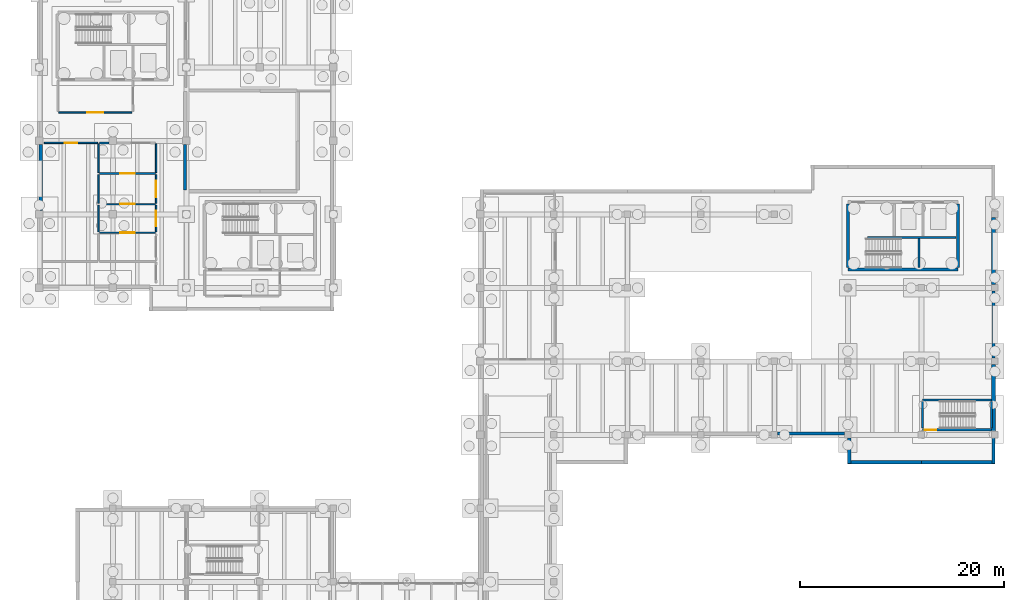
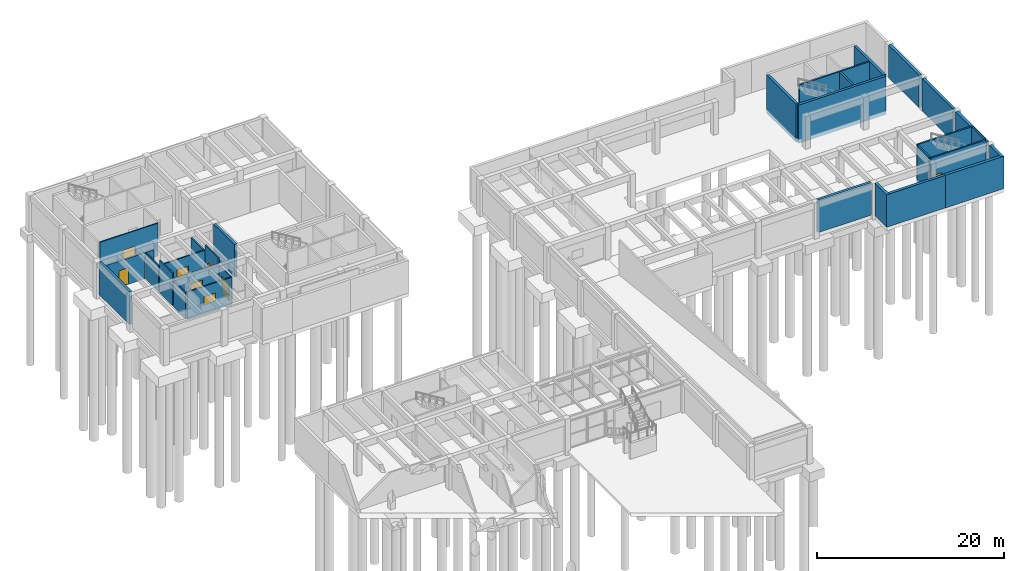
# One storey, part 19 of 28: 31 walls, 5 doors, 3 windows, 8 openings.
"""IFC4 building model written with IfcOpenShell, lengths in metres."""

from ifc_helpers import new_model, si_unit, direction, frame, frame_2d, origin, place, context, subcontext, project, spatial, rectangle, extrude, material, layer, layer_set, type_object, element, fill, save


model = new_model("IFC4")

# Units and contexts
model_context = context("Model", 3, precision=1e-05, world=origin(), true_north=direction((0.0, 1.0)))
body_context = subcontext(model_context, "Body", "Model", "MODEL_VIEW")
ifc_project = project(units=[si_unit("LENGTHUNIT", "METRE"), si_unit("AREAUNIT", "SQUARE_METRE"), si_unit("VOLUMEUNIT", "CUBIC_METRE"), si_unit("PLANEANGLEUNIT", "RADIAN"), si_unit("MASSUNIT", "GRAM", prefix="KILO")], contexts=[model_context])

# Site, building, storey
site_placement = place(None, origin())
site = spatial("IfcSite", under=ifc_project, at=site_placement, CompositionType="ELEMENT")
building_placement = place(site_placement, origin())
building = spatial("IfcBuilding", under=site, at=building_placement, Name="Bramvelor Terrace Health Centre", CompositionType="ELEMENT")
storey_placement = place(building_placement, frame((0.0, 0.0, -4.5)))
storey = spatial("IfcBuildingStorey", under=building, at=storey_placement, Name="B1", CompositionType="ELEMENT", Elevation=-4.5)

# Walls
ifc_material_1 = material(Name="Concrete C40/50", Category="concrete")
ifc_layer_1 = layer(ifc_material_1, 0.199951171875)
ifc_layer_set_1 = layer_set([ifc_layer_1], Name="Concrete C40/50")
wall_type_1 = type_object("IfcWallType", Name="WL-CORE-200", PredefinedType="SHEAR", material=ifc_layer_set_1)
wall_1_placement = place(storey_placement, frame((81.14990234375, 91.35009765625, -0.5), z_axis=(0.0, 0.0, 1.0), x_axis=(1.0, 0.0, 0.0)))
element("IfcWall", 1, at=wall_1_placement, inside=storey, type_object=wall_type_1, Name="C4 B1 Core Shear Wall", PredefinedType="SHEAR", context=body_context, shape_type="SweptSolid", body=[
    extrude(rectangle(XDim=8.670166015625, YDim=0.199951171875, at=frame_2d((4.3349609375, 0.0))), origin(), (0.0, 0.0, 1.0), 5.0),
])
wall_2_placement = place(storey_placement, frame((86.155029296875, 88.3798828125, -0.5), z_axis=(0.0, 0.0, 1.0), x_axis=(0.0, 1.0, 0.0)))
element("IfcWall", 2, at=wall_2_placement, inside=storey, type_object=wall_type_1, Name="C4 B1 Core Shear Wall", PredefinedType="SHEAR", context=body_context, shape_type="SweptSolid", body=[
    extrude(rectangle(XDim=2.85009765625, YDim=0.199951171875, at=frame_2d((1.425048828125, 0.0))), origin(), (0.0, 0.0, 1.0), 5.0),
])

# Wall, opening, door
wall_3_placement = place(storey_placement, frame((86.5, 72.5, -0.5), z_axis=(0.0, 0.0, 1.0), x_axis=(1.0, 0.0, 0.0)))
wall_3 = element("IfcWall", 3, at=wall_3_placement, inside=storey, type_object=wall_type_1, Name="ST-8 B1 Stair Shaft Wall", PredefinedType="SHEAR", context=body_context, shape_type="SweptSolid", body=[
    extrude(rectangle(XDim=6.77490234375, YDim=0.199951171875, at=frame_2d((3.387451171875, 0.0))), origin(), (0.0, 0.0, 1.0), 5.0),
])
opening_1_placement = place(wall_3_placement, frame((0.219970703125, 0.0, 0.5)))
opening_1 = element("IfcOpeningElement", 4, at=opening_1_placement, cuts=wall_3, Name="Opening FD-06", PredefinedType="OPENING", context=body_context, shape_type="SweptSolid", body=[
    extrude(rectangle(XDim=1.1201171875, YDim=2.139892578125, at=frame_2d((0.56005859375, 1.06982421875))), frame((0.0, 0.10986328125, 0.0), z_axis=(0.0, -1.0, 0.0), x_axis=(1.0, 0.0, 0.0)), (0.0, 0.0, 1.0), 0.219970703125),
])
ifc_material_2 = material(Name="Fire-rated steel and vision panel", Category="steel")
door_type_1 = type_object("IfcDoorType", Name="DR-FD60-112", OperationType="NOTDEFINED", PredefinedType="DOOR", material=ifc_material_2)
door_1_placement = place(opening_1_placement, origin())
door_1 = element("IfcDoor", 5, at=door_1_placement, inside=storey, type_object=door_type_1, Name="ST-8 B1 Exit Stair Fire Door", OperationType="SINGLE_SWING_LEFT", OverallHeight=2.139892578125, OverallWidth=1.1201171875, PredefinedType="DOOR", context=body_context, shape_type="SweptSolid", body=[
    extrude(rectangle(XDim=1.1201171875, YDim=2.139892578125, at=frame_2d((0.56005859375, 1.06982421875))), frame((0.0, 0.02490234375, 0.0), z_axis=(0.0, -1.0, 0.0), x_axis=(1.0, 0.0, 0.0)), (0.0, 0.0, 1.0), 0.050048828125),
])
fill(opening_1, door_1)

# Walls
wall_4_placement = place(storey_placement, frame((86.5, 75.39990234375, -0.5), z_axis=(0.0, 0.0, 1.0), x_axis=(1.0, 0.0, 0.0)))
element("IfcWall", 6, at=wall_4_placement, inside=storey, type_object=wall_type_1, Name="ST-8 B1 Stair Shaft Wall", PredefinedType="SHEAR", context=body_context, shape_type="SweptSolid", body=[
    extrude(rectangle(XDim=6.77490234375, YDim=0.199951171875, at=frame_2d((3.387451171875, 0.0))), origin(), (0.0, 0.0, 1.0), 5.0),
])
for number, where, z_axis, x_axis, name in (
    (7, (86.5, 72.64990234375, -0.5), (0.0, 0.0, 1.0), (0.0, 1.0, 0.0), "ST-8 B1 Stair Shaft Wall"),
    (8, (93.27490234375, 72.64990234375, -0.5), (0.0, 0.0, 1.0), (0.0, 1.0, 0.0), "ST-8 B1 Stair Shaft Wall"),
):
    element("IfcWall", number, at=place(storey_placement, frame(where, z_axis=z_axis, x_axis=x_axis)), inside=storey, type_object=wall_type_1, Name=name, PredefinedType="SHEAR", context=body_context, shape_type="SweptSolid", body=[
        extrude(rectangle(XDim=2.60009765625, YDim=0.199951171875, at=frame_2d((1.300048828125, 0.0))), origin(), (0.0, 0.0, 1.0), 5.0),
    ])
ifc_material_3 = material(Name="Concrete C40/50", Category="concrete")
ifc_layer_2 = layer(ifc_material_3, 0.300048828125)
ifc_layer_set_2 = layer_set([ifc_layer_2], Name="Concrete C40/50")
wall_type_2 = type_object("IfcWallType", Name="WL-CORE-300", PredefinedType="SHEAR", material=ifc_layer_set_2)
wall_5_placement = place(storey_placement, frame((79.199951171875, 88.199951171875, -0.5), z_axis=(0.0, 0.0, 1.0), x_axis=(1.0, 0.0, 0.0)))
element("IfcWall", 9, at=wall_5_placement, inside=storey, type_object=wall_type_2, Name="C4 B1 Core Shear Wall", PredefinedType="SHEAR", context=body_context, shape_type="SweptSolid", body=[
    extrude(rectangle(XDim=10.800048828125, YDim=0.300048828125, at=frame_2d((5.39990234375, 0.0))), origin(), (0.0, 0.0, 1.0), 5.0),
])
for number, where, z_axis, x_axis, name in (
    (10, (79.199951171875, 88.3798828125, -0.5), (0.0, 0.0, 1.0), (0.0, 1.0, 0.0), "C4 B1 Core Shear Wall"),
    (11, (90.0, 88.3798828125, -0.5), (0.0, 0.0, 1.0), (0.0, 1.0, 0.0), "C4 B1 Core Shear Wall"),
):
    element("IfcWall", number, at=place(storey_placement, frame(where, z_axis=z_axis, x_axis=x_axis)), inside=storey, type_object=wall_type_2, Name=name, PredefinedType="SHEAR", context=body_context, shape_type="SweptSolid", body=[
        extrude(rectangle(XDim=6.240234375, YDim=0.300048828125, at=frame_2d((3.1201171875, 0.0))), origin(), (0.0, 0.0, 1.0), 5.0),
    ])

# Wall, opening, door
ifc_material_4 = material(Name="Fire-rated gypsum and mineral wool", Category="gypsum")
ifc_layer_3 = layer(ifc_material_4, 0.14990234375)
ifc_layer_set_3 = layer_set([ifc_layer_3], Name="Fire-rated gypsum and mineral wool")
wall_type_3 = type_object("IfcWallType", Name="WL-FIR-150", PredefinedType="PARTITIONING", material=ifc_layer_set_3)
wall_6_placement = place(storey_placement, frame((9.06005859375, 103.60009765625, 0.0), z_axis=(0.0, 0.0, 1.0), x_axis=(-1.0, 0.0, 0.0)))
wall_6 = element("IfcWall", 12, at=wall_6_placement, inside=storey, type_object=wall_type_3, Name="B1 Interior Partition 3", PredefinedType="PARTITIONING", context=body_context, shape_type="SweptSolid", body=[
    extrude(rectangle(XDim=7.170166015625, YDim=0.14990234375, at=frame_2d((3.5849609375, 0.0))), origin(), (0.0, 0.0, 1.0), 4.27001953125),
])
opening_2_placement = place(wall_6_placement, frame((2.804931640625, 0.0, 0.0)))
opening_2 = element("IfcOpeningElement", 13, at=opening_2_placement, cuts=wall_6, Name="Opening FD-03", PredefinedType="OPENING", context=body_context, shape_type="SweptSolid", body=[
    extrude(rectangle(XDim=1.56005859375, YDim=2.219970703125, at=frame_2d((0.780029296875, 1.10986328125))), frame((0.0, 0.0849609375, 0.0), z_axis=(0.0, -1.0, 0.0), x_axis=(1.0, 0.0, 0.0)), (0.0, 0.0, 1.0), 0.169921875),
])
ifc_material_5 = material(Name="Fire-rated steel and vision panel", Category="steel")
door_type_2 = type_object("IfcDoorType", Name="DR-FD90-156", OperationType="DOUBLE_DOOR_SINGLE_SWING", PredefinedType="DOOR", material=ifc_material_5)
door_2_placement = place(opening_2_placement, origin())
door_2 = element("IfcDoor", 14, at=door_2_placement, inside=storey, type_object=door_type_2, Name="B1 Fire Compartment Lobby Door 2", OperationType="DOUBLE_DOOR_SINGLE_SWING", OverallHeight=2.219970703125, OverallWidth=1.56005859375, PredefinedType="DOOR", context=body_context, shape_type="SweptSolid", body=[
    extrude(rectangle(XDim=1.56005859375, YDim=2.219970703125, at=frame_2d((0.780029296875, 1.10986328125))), frame((0.0, 0.02490234375, 0.0), z_axis=(0.0, -1.0, 0.0), x_axis=(1.0, 0.0, 0.0)), (0.0, 0.0, 1.0), 0.050048828125),
])
fill(opening_2, door_2)

# Walls
wall_7_placement = place(storey_placement, frame((5.800048828125, 97.68994140625, 0.0), z_axis=(0.0, 0.0, 1.0), x_axis=(0.0, 1.0, 0.0)))
element("IfcWall", 15, at=wall_7_placement, inside=storey, type_object=wall_type_3, Name="B1 Interior Partition 11", PredefinedType="PARTITIONING", context=body_context, shape_type="SweptSolid", body=[
    extrude(rectangle(XDim=2.818115234375, YDim=0.14990234375, at=frame_2d((1.4091796875, 0.0))), origin(), (0.0, 0.0, 1.0), 3.39990234375),
])
wall_8_placement = place(storey_placement, frame((5.800048828125, 94.68994140625, 0.0), z_axis=(0.0, 0.0, 1.0), x_axis=(0.0, 1.0, 0.0)))
element("IfcWall", 16, at=wall_8_placement, inside=storey, type_object=wall_type_3, Name="B1 Interior Partition 14", PredefinedType="PARTITIONING", context=body_context, shape_type="SweptSolid", body=[
    extrude(rectangle(XDim=2.81005859375, YDim=0.14990234375, at=frame_2d((1.405029296875, 0.0))), origin(), (0.0, 0.0, 1.0), 4.27001953125),
])
wall_9_placement = place(storey_placement, frame((5.800048828125, 91.889892578125, 0.0), z_axis=(0.0, 0.0, 1.0), x_axis=(0.0, 1.0, 0.0)))
element("IfcWall", 17, at=wall_9_placement, inside=storey, type_object=wall_type_3, Name="B1 Interior Partition 17", PredefinedType="PARTITIONING", context=body_context, shape_type="SweptSolid", body=[
    extrude(rectangle(XDim=2.610107421875, YDim=0.14990234375, at=frame_2d((1.30517578125, 0.0))), origin(), (0.0, 0.0, 1.0), 3.39990234375),
])

# Wall, opening, door
wall_10_placement = place(storey_placement, frame((0.489990234375, 100.60009765625, 0.0), z_axis=(0.0, 0.0, 1.0), x_axis=(0.999999911066, -0.000421743168, 0.0)))
wall_10 = element("IfcWall", 18, at=wall_10_placement, inside=storey, type_object=wall_type_3, Name="B1 Interior Partition 22", PredefinedType="PARTITIONING", context=body_context, shape_type="SweptSolid", body=[
    extrude(rectangle(XDim=5.2099609375, YDim=0.14990234375, at=frame_2d((2.60498046875, 0.0))), origin(), (0.0, 0.0, 1.0), 3.39990234375),
])
opening_3_placement = place(wall_10_placement, frame((2.014892578125, 0.0, 0.0)))
opening_3 = element("IfcOpeningElement", 19, at=opening_3_placement, cuts=wall_10, Name="Opening FD-02", PredefinedType="OPENING", context=body_context, shape_type="SweptSolid", body=[
    extrude(rectangle(XDim=1.179931640625, YDim=2.159912109375, at=frame_2d((0.58984375, 1.080078125))), frame((0.0, 0.0849609375, 0.0), z_axis=(0.0, -1.0, 0.0), x_axis=(1.0, 0.0, 0.0)), (0.0, 0.0, 1.0), 0.169921875),
])
ifc_material_6 = material(Name="Fire-rated steel and vision panel", Category="steel")
door_type_3 = type_object("IfcDoorType", Name="DR-FD90-118", OperationType="NOTDEFINED", PredefinedType="DOOR", material=ifc_material_6)
door_3_placement = place(opening_3_placement, origin())
door_3 = element("IfcDoor", 20, at=door_3_placement, inside=storey, type_object=door_type_3, Name="B1 Emergency Standby Generator Plant Room Fire Door", OperationType="SINGLE_SWING_LEFT", OverallHeight=2.159912109375, OverallWidth=1.179931640625, PredefinedType="DOOR", context=body_context, shape_type="SweptSolid", body=[
    extrude(rectangle(XDim=1.179931640625, YDim=2.159912109375, at=frame_2d((0.58984375, 1.080078125))), frame((0.0, 0.02490234375, 0.0), z_axis=(0.0, -1.0, 0.0), x_axis=(1.0, 0.0, 0.0)), (0.0, 0.0, 1.0), 0.050048828125),
])
fill(opening_3, door_3)

# Walls
ifc_material_7 = material(Name="Moisture-resistant service chase board", Category="gypsum")
ifc_layer_4 = layer(ifc_material_7, 0.159912109375)
ifc_layer_set_4 = layer_set([ifc_layer_4], Name="Moisture-resistant service chase board")
wall_type_4 = type_object("IfcWallType", Name="WL-PLM-160", PredefinedType="PLUMBINGWALL", material=ifc_layer_set_4)
wall_11_placement = place(storey_placement, frame((5.889892578125, 100.597900390625, 0.0), z_axis=(0.0, 0.0, 1.0), x_axis=(1.0, 0.0, 0.0)))
element("IfcWall", 21, at=wall_11_placement, inside=storey, type_object=wall_type_4, Name="B1 Interior Partition 7", PredefinedType="PLUMBINGWALL", context=body_context, shape_type="SweptSolid", body=[
    extrude(rectangle(XDim=0.920166015625, YDim=0.159912109375, at=frame_2d((0.4599609375, 0.0))), origin(), (0.0, 0.0, 1.0), 3.39990234375),
])
wall_12_placement = place(storey_placement, frame((11.43994140625, 100.508056640625, 0.0), z_axis=(0.0, 0.0, 1.0), x_axis=(0.0, -1.0, 0.0)))
element("IfcWall", 22, at=wall_12_placement, inside=storey, type_object=wall_type_4, Name="B1 Interior Partition 9", PredefinedType="PLUMBINGWALL", context=body_context, shape_type="SweptSolid", body=[
    extrude(rectangle(XDim=2.818115234375, YDim=0.159912109375, at=frame_2d((1.4091796875, 0.0))), origin(), (0.0, 0.0, 1.0), 3.39990234375),
])

# Wall, opening, window
wall_13_placement = place(storey_placement, frame((11.35009765625, 97.60009765625, 0.0), z_axis=(0.0, 0.0, 1.0), x_axis=(-1.0, 0.0, 0.0)))
wall_13 = element("IfcWall", 23, at=wall_13_placement, inside=storey, type_object=wall_type_4, Name="B1 Interior Partition 10", PredefinedType="PLUMBINGWALL", context=body_context, shape_type="SweptSolid", body=[
    extrude(rectangle(XDim=5.460205078125, YDim=0.159912109375, at=frame_2d((2.72998046875, 0.0))), origin(), (0.0, 0.0, 1.0), 3.550048828125),
])
opening_4_placement = place(wall_13_placement, frame((2.030029296875, 0.0, 1.14990234375)))
opening_4 = element("IfcOpeningElement", 24, at=opening_4_placement, cuts=wall_13, Name="Opening IWN-1", PredefinedType="OPENING", context=body_context, shape_type="SweptSolid", body=[
    extrude(rectangle(XDim=1.39990234375, YDim=1.050048828125, at=frame_2d((0.699951171875, 0.52490234375))), frame((0.0, 0.08984375, 0.0), z_axis=(0.0, -1.0, 0.0), x_axis=(1.0, 0.0, 0.0)), (0.0, 0.0, 1.0), 0.179931640625),
])
ifc_material_8 = material(Name="Acoustic laminated observation glass", Category="glass")
window_type = type_object("IfcWindowType", Name="WIN-INT-OBS140", PartitioningType="SINGLE_PANEL", PredefinedType="WINDOW", material=ifc_material_8)
window_1_placement = place(opening_4_placement, origin())
window_1 = element("IfcWindow", 25, at=window_1_placement, inside=storey, type_object=window_type, Name="B1 Clinical Observation Window 1", OverallHeight=1.050048828125, OverallWidth=1.39990234375, PartitioningType="SINGLE_PANEL", PredefinedType="WINDOW", context=body_context, shape_type="SweptSolid", body=[
    extrude(rectangle(XDim=1.39990234375, YDim=1.050048828125, at=frame_2d((0.699951171875, 0.52490234375))), frame((0.0, 0.030029296875, 0.0), z_axis=(0.0, -1.0, 0.0), x_axis=(1.0, 0.0, 0.0)), (0.0, 0.0, 1.0), 0.06005859375),
])
fill(opening_4, window_1)

# Wall, opening, door
wall_14_placement = place(storey_placement, frame((11.43994140625, 97.5, 0.0), z_axis=(0.0, 0.0, 1.0), x_axis=(0.0, -1.0, 0.0)))
wall_14 = element("IfcWall", 26, at=wall_14_placement, inside=storey, type_object=wall_type_4, Name="B1 Interior Partition 12", PredefinedType="PLUMBINGWALL", context=body_context, shape_type="SweptSolid", body=[
    extrude(rectangle(XDim=2.81005859375, YDim=0.159912109375, at=frame_2d((1.405029296875, 0.0))), origin(), (0.0, 0.0, 1.0), 4.27001953125),
])
opening_5_placement = place(wall_14_placement, frame((0.594970703125, 0.0, 0.0)))
opening_5 = element("IfcOpeningElement", 27, at=opening_5_placement, cuts=wall_14, Name="Opening ID-OR2", PredefinedType="OPENING", context=body_context, shape_type="SweptSolid", body=[
    extrude(rectangle(XDim=1.6201171875, YDim=2.340087890625, at=frame_2d((0.81005859375, 1.169921875))), frame((0.0, 0.08984375, 0.0), z_axis=(0.0, -1.0, 0.0), x_axis=(1.0, 0.0, 0.0)), (0.0, 0.0, 1.0), 0.179931640625),
])
ifc_material_9 = material(Name="Solid-core acoustic timber laminate", Category="wood")
door_type_4 = type_object("IfcDoorType", Name="DR-OR-SLD162", OperationType="DOUBLE_DOOR_SLIDING", PredefinedType="DOOR", material=ifc_material_9)
door_4_placement = place(opening_5_placement, origin())
door_4 = element("IfcDoor", 28, at=door_4_placement, inside=storey, type_object=door_type_4, Name="B1 Accessible Female WC Clinical Door", OperationType="DOUBLE_DOOR_SLIDING", OverallHeight=2.340087890625, OverallWidth=1.6201171875, PredefinedType="DOOR", context=body_context, shape_type="SweptSolid", body=[
    extrude(rectangle(XDim=1.6201171875, YDim=2.340087890625, at=frame_2d((0.81005859375, 1.169921875))), frame((0.0, 0.02490234375, 0.0), z_axis=(0.0, -1.0, 0.0), x_axis=(1.0, 0.0, 0.0)), (0.0, 0.0, 1.0), 0.050048828125),
])
fill(opening_5, door_4)

# Wall, opening, window
wall_15_placement = place(storey_placement, frame((11.35009765625, 94.60009765625, 0.0), z_axis=(0.0, 0.0, 1.0), x_axis=(-1.0, 0.0, 0.0)))
wall_15 = element("IfcWall", 29, at=wall_15_placement, inside=storey, type_object=wall_type_4, Name="B1 Interior Partition 13", PredefinedType="PLUMBINGWALL", context=body_context, shape_type="SweptSolid", body=[
    extrude(rectangle(XDim=5.460205078125, YDim=0.159912109375, at=frame_2d((2.72998046875, 0.0))), origin(), (0.0, 0.0, 1.0), 3.550048828125),
])
opening_6_placement = place(wall_15_placement, frame((2.030029296875, 0.0, 1.14990234375)))
opening_6 = element("IfcOpeningElement", 30, at=opening_6_placement, cuts=wall_15, Name="Opening IWN-1", PredefinedType="OPENING", context=body_context, shape_type="SweptSolid", body=[
    extrude(rectangle(XDim=1.39990234375, YDim=1.050048828125, at=frame_2d((0.699951171875, 0.52490234375))), frame((0.0, 0.08984375, 0.0), z_axis=(0.0, -1.0, 0.0), x_axis=(1.0, 0.0, 0.0)), (0.0, 0.0, 1.0), 0.179931640625),
])
window_2_placement = place(opening_6_placement, origin())
window_2 = element("IfcWindow", 31, at=window_2_placement, inside=storey, type_object=window_type, Name="B1 Clinical Observation Window 2", OverallHeight=1.050048828125, OverallWidth=1.39990234375, PartitioningType="SINGLE_PANEL", PredefinedType="WINDOW", context=body_context, shape_type="SweptSolid", body=[
    extrude(rectangle(XDim=1.39990234375, YDim=1.050048828125, at=frame_2d((0.699951171875, 0.52490234375))), frame((0.0, 0.030029296875, 0.0), z_axis=(0.0, -1.0, 0.0), x_axis=(1.0, 0.0, 0.0)), (0.0, 0.0, 1.0), 0.06005859375),
])
fill(opening_6, window_2)

# Wall, opening, door
wall_16_placement = place(storey_placement, frame((11.43994140625, 94.5, 0.0), z_axis=(0.0, 0.0, 1.0), x_axis=(0.0, -1.0, 0.0)))
wall_16 = element("IfcWall", 32, at=wall_16_placement, inside=storey, type_object=wall_type_4, Name="B1 Interior Partition 15", PredefinedType="PLUMBINGWALL", context=body_context, shape_type="SweptSolid", body=[
    extrude(rectangle(XDim=2.610107421875, YDim=0.159912109375, at=frame_2d((1.30517578125, 0.0))), origin(), (0.0, 0.0, 1.0), 3.39990234375),
])
opening_7_placement = place(wall_16_placement, frame((0.56494140625, 0.0, 0.0)))
opening_7 = element("IfcOpeningElement", 33, at=opening_7_placement, cuts=wall_16, Name="Opening ID-OR3", PredefinedType="OPENING", context=body_context, shape_type="SweptSolid", body=[
    extrude(rectangle(XDim=1.47998046875, YDim=2.300048828125, at=frame_2d((0.739990234375, 1.14990234375))), frame((0.0, 0.08984375, 0.0), z_axis=(0.0, -1.0, 0.0), x_axis=(1.0, 0.0, 0.0)), (0.0, 0.0, 1.0), 0.179931640625),
])
ifc_material_10 = material(Name="Solid-core acoustic timber laminate", Category="wood")
door_type_5 = type_object("IfcDoorType", Name="DR-OR-SLD148", OperationType="SLIDING_TO_RIGHT", PredefinedType="DOOR", material=ifc_material_10)
door_5_placement = place(opening_7_placement, origin())
door_5 = element("IfcDoor", 34, at=door_5_placement, inside=storey, type_object=door_type_5, Name="B1 Public Male WC Clinical Door", OperationType="SLIDING_TO_RIGHT", OverallHeight=2.300048828125, OverallWidth=1.47998046875, PredefinedType="DOOR", context=body_context, shape_type="SweptSolid", body=[
    extrude(rectangle(XDim=1.47998046875, YDim=2.300048828125, at=frame_2d((0.739990234375, 1.14990234375))), frame((0.0, 0.02490234375, 0.0), z_axis=(0.0, -1.0, 0.0), x_axis=(1.0, 0.0, 0.0)), (0.0, 0.0, 1.0), 0.050048828125),
])
fill(opening_7, door_5)

# Wall, opening, window
wall_17_placement = place(storey_placement, frame((11.35009765625, 91.800048828125, 0.0), z_axis=(0.0, 0.0, 1.0), x_axis=(-1.0, 0.0, 0.0)))
wall_17 = element("IfcWall", 35, at=wall_17_placement, inside=storey, type_object=wall_type_4, Name="B1 Interior Partition 16", PredefinedType="PLUMBINGWALL", context=body_context, shape_type="SweptSolid", body=[
    extrude(rectangle(XDim=5.460205078125, YDim=0.159912109375, at=frame_2d((2.72998046875, 0.0))), origin(), (0.0, 0.0, 1.0), 3.550048828125),
])
opening_8_placement = place(wall_17_placement, frame((2.030029296875, 0.0, 1.14990234375)))
opening_8 = element("IfcOpeningElement", 36, at=opening_8_placement, cuts=wall_17, Name="Opening IWN-1", PredefinedType="OPENING", context=body_context, shape_type="SweptSolid", body=[
    extrude(rectangle(XDim=1.39990234375, YDim=1.050048828125, at=frame_2d((0.699951171875, 0.52490234375))), frame((0.0, 0.08984375, 0.0), z_axis=(0.0, -1.0, 0.0), x_axis=(1.0, 0.0, 0.0)), (0.0, 0.0, 1.0), 0.179931640625),
])
window_3_placement = place(opening_8_placement, origin())
window_3 = element("IfcWindow", 37, at=window_3_placement, inside=storey, type_object=window_type, Name="B1 Clinical Observation Window 3", OverallHeight=1.050048828125, OverallWidth=1.39990234375, PartitioningType="SINGLE_PANEL", PredefinedType="WINDOW", context=body_context, shape_type="SweptSolid", body=[
    extrude(rectangle(XDim=1.39990234375, YDim=1.050048828125, at=frame_2d((0.699951171875, 0.52490234375))), frame((0.0, 0.030029296875, 0.0), z_axis=(0.0, -1.0, 0.0), x_axis=(1.0, 0.0, 0.0)), (0.0, 0.0, 1.0), 0.06005859375),
])
fill(opening_8, window_3)

# Walls
ifc_material_11 = material(Name="Concrete C40/50", Category="concrete")
ifc_layer_5 = layer(ifc_material_11, 0.320068359375)
ifc_layer_set_5 = layer_set([ifc_layer_5], Name="Concrete C40/50")
wall_type_5 = type_object("IfcWallType", Name="WL-RET-320", PredefinedType="SOLIDWALL", material=ifc_layer_set_5)
wall_18_placement = place(storey_placement, frame((93.469970703125, 86.080078125, 0.0), z_axis=(0.0, 0.0, 1.0), x_axis=(0.0, -1.0, 0.0)))
element("IfcWall", 38, at=wall_18_placement, inside=storey, type_object=wall_type_5, Name="B1 Perimeter Basement Retaining Wall 25", PredefinedType="SOLIDWALL", context=body_context, shape_type="SweptSolid", body=[
    extrude(rectangle(XDim=6.56005859375, YDim=0.320068359375, at=frame_2d((3.280029296875, 0.0))), origin(), (0.0, 0.0, 1.0), 4.25),
])
wall_19_placement = place(storey_placement, frame((93.469970703125, 71.679931640625, 0.0), z_axis=(0.0, 0.0, 1.0), x_axis=(0.0, -1.0, 0.0)))
element("IfcWall", 39, at=wall_19_placement, inside=storey, type_object=wall_type_5, Name="B1 Perimeter Basement Retaining Wall 27", PredefinedType="SOLIDWALL", context=body_context, shape_type="SweptSolid", body=[
    extrude(rectangle(XDim=2.5, YDim=0.320068359375, at=frame_2d((1.25, 0.0))), origin(), (0.0, 0.0, 1.0), 4.25),
])
wall_20_placement = place(storey_placement, frame((86.39990234375, 69.330078125, 0.0), z_axis=(0.0, 0.0, 1.0), x_axis=(-1.0, 0.0, 0.0)))
element("IfcWall", 40, at=wall_20_placement, inside=storey, type_object=wall_type_5, Name="B1 Perimeter Basement Retaining Wall 29", PredefinedType="SOLIDWALL", context=body_context, shape_type="SweptSolid", body=[
    extrude(rectangle(XDim=7.239990234375, YDim=0.320068359375, at=frame_2d((3.6201171875, 0.0))), origin(), (0.0, 0.0, 1.0), 4.25),
])
wall_21_placement = place(storey_placement, frame((78.8798828125, 72.1298828125, 0.0), z_axis=(0.0, 0.0, 1.0), x_axis=(-1.0, 0.0, 0.0)))
element("IfcWall", 41, at=wall_21_placement, inside=storey, type_object=wall_type_5, Name="B1 Perimeter Basement Retaining Wall 31", PredefinedType="SOLIDWALL", context=body_context, shape_type="SweptSolid", body=[
    extrude(rectangle(XDim=6.559814453125, YDim=0.320068359375, at=frame_2d((3.27978515625, 0.0))), origin(), (0.0, 0.0, 1.0), 4.25),
])
wall_22_placement = place(storey_placement, frame((0.1298828125, 93.969970703125, 0.0), z_axis=(0.0, 0.0, 1.0), x_axis=(0.0, 1.0, 0.0)))
element("IfcWall", 42, at=wall_22_placement, inside=storey, type_object=wall_type_5, Name="B1 Perimeter Basement Retaining Wall 65", PredefinedType="SOLIDWALL", context=body_context, shape_type="SweptSolid", body=[
    extrude(rectangle(XDim=6.4599609375, YDim=0.320068359375, at=frame_2d((3.22998046875, 0.0))), origin(), (0.0, 0.0, 1.0), 4.25),
])
wall_23_placement = place(storey_placement, frame((14.27001953125, 100.429931640625, 0.0), z_axis=(0.0, 0.0, 1.0), x_axis=(0.0, -1.0, 0.0)))
element("IfcWall", 43, at=wall_23_placement, inside=storey, type_object=wall_type_5, Name="B1 Perimeter Basement Retaining Wall 75", PredefinedType="SOLIDWALL", context=body_context, shape_type="SweptSolid", body=[
    extrude(rectangle(XDim=4.449951171875, YDim=0.320068359375, at=frame_2d((2.22509765625, 0.0))), origin(), (0.0, 0.0, 1.0), 4.25),
])
ifc_material_12 = material(Name="Concrete C40/50", Category="concrete")
ifc_layer_6 = layer(ifc_material_12, 0.35009765625)
ifc_layer_set_6 = layer_set([ifc_layer_6], Name="Concrete C40/50")
wall_type_6 = type_object("IfcWallType", Name="WL-RET-350", PredefinedType="SOLIDWALL", material=ifc_layer_set_6)
wall_24_placement = place(storey_placement, frame((93.469970703125, 93.280029296875, 0.0), z_axis=(0.0, 0.0, 1.0), x_axis=(0.0, -1.0, 0.0)))
element("IfcWall", 44, at=wall_24_placement, inside=storey, type_object=wall_type_6, Name="B1 Perimeter Basement Retaining Wall 24", PredefinedType="SOLIDWALL", context=body_context, shape_type="SweptSolid", body=[
    extrude(rectangle(XDim=6.56005859375, YDim=0.35009765625, at=frame_2d((3.280029296875, 0.0))), origin(), (0.0, 0.0, 1.0), 4.25),
])
wall_25_placement = place(storey_placement, frame((93.469970703125, 78.8798828125, 0.0), z_axis=(0.0, 0.0, 1.0), x_axis=(0.0, -1.0, 0.0)))
element("IfcWall", 45, at=wall_25_placement, inside=storey, type_object=wall_type_6, Name="B1 Perimeter Basement Retaining Wall 26", PredefinedType="SOLIDWALL", context=body_context, shape_type="SweptSolid", body=[
    extrude(rectangle(XDim=6.559814453125, YDim=0.35009765625, at=frame_2d((3.27978515625, 0.0))), origin(), (0.0, 0.0, 1.0), 4.25),
])
wall_26_placement = place(storey_placement, frame((93.639892578125, 69.330078125, 0.0), z_axis=(0.0, 0.0, 1.0), x_axis=(-1.0, 0.0, 0.0)))
element("IfcWall", 46, at=wall_26_placement, inside=storey, type_object=wall_type_6, Name="B1 Perimeter Basement Retaining Wall 28", PredefinedType="SOLIDWALL", context=body_context, shape_type="SweptSolid", body=[
    extrude(rectangle(XDim=7.239990234375, YDim=0.35009765625, at=frame_2d((3.6201171875, 0.0))), origin(), (0.0, 0.0, 1.0), 4.25),
])
wall_27_placement = place(storey_placement, frame((79.330078125, 69.179931640625, 0.0), z_axis=(0.0, 0.0, 1.0), x_axis=(0.0, 1.0, 0.0)))
element("IfcWall", 47, at=wall_27_placement, inside=storey, type_object=wall_type_6, Name="B1 Perimeter Basement Retaining Wall 30", PredefinedType="SOLIDWALL", context=body_context, shape_type="SweptSolid", body=[
    extrude(rectangle(XDim=2.5, YDim=0.35009765625, at=frame_2d((1.25, 0.0))), origin(), (0.0, 0.0, 1.0), 4.25),
])

save(model, "model.ifc")
